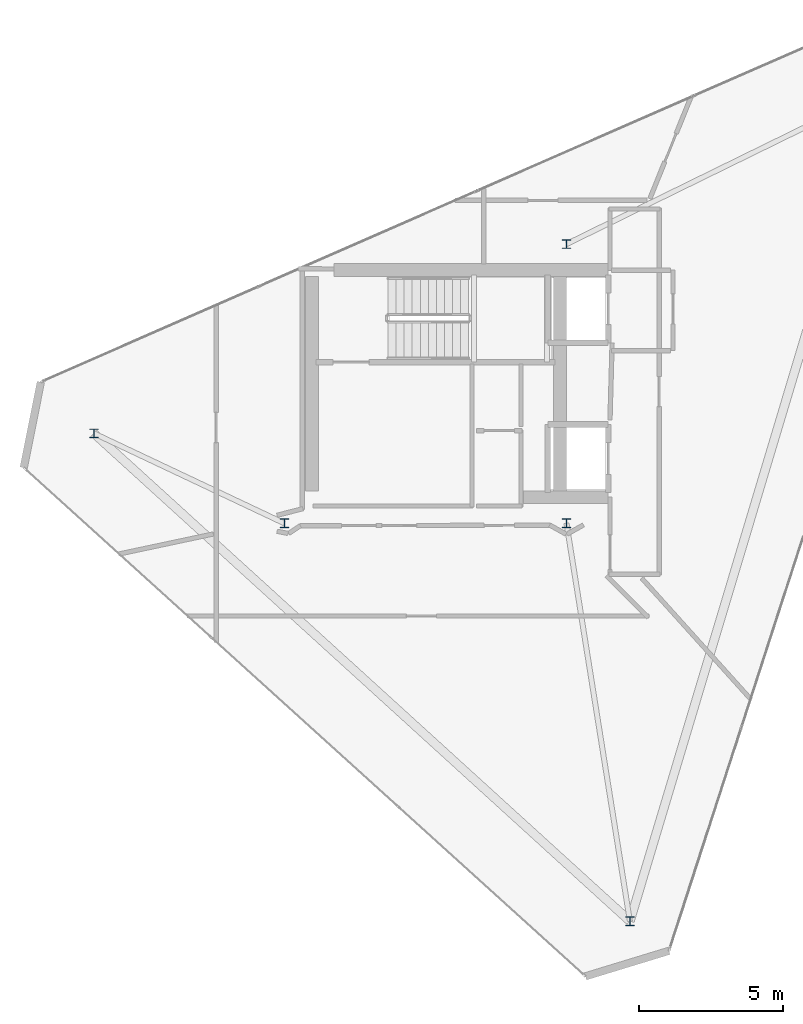
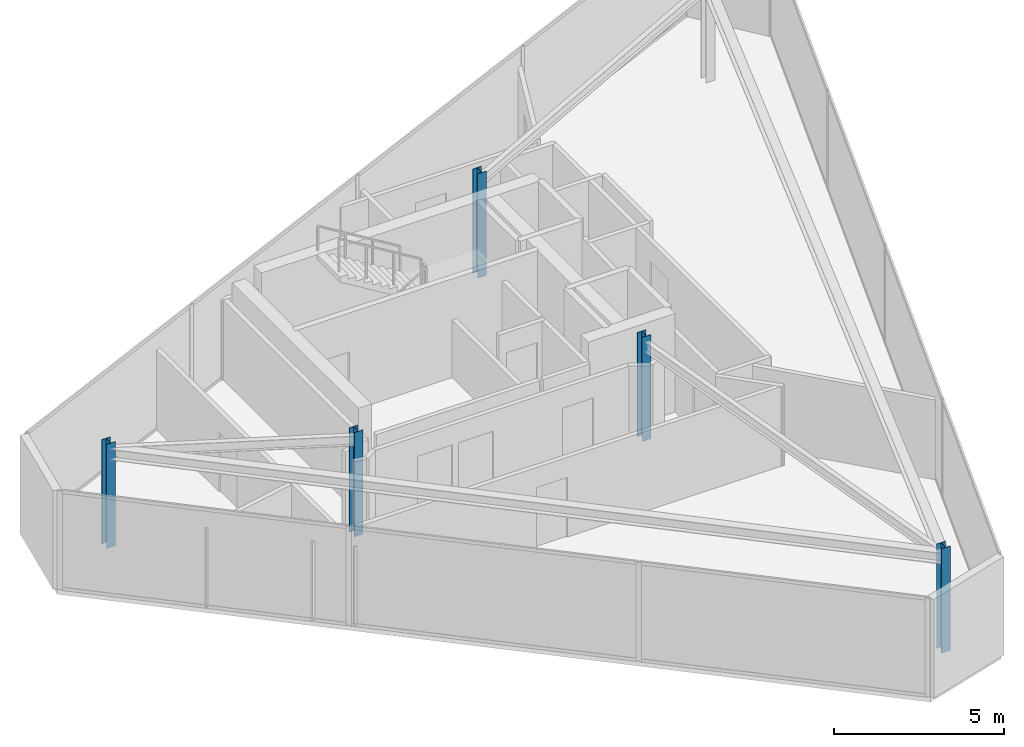
# One storey, part 1 of 16: 5 columns.
"""IFC4 building model written with IfcOpenShell, lengths in metres."""

import ifcopenshell
import ifcopenshell.guid

model = None  # the IFC model being written
_history = None  # IfcOwnerHistory: only IFC2X3 demands one
_inside = {}  # id of a spatial element -> (the spatial element, [elements in it])
_under = {}  # id of a project, library or spatial element -> (it, [spatial elements below it])
_declared = {}  # id of a project -> (the project, [libraries it declares])
_typed = {}  # id of a type object -> (the type object, [elements of that type])
_made_of = {}  # id of a material, layer set ... -> (it, [elements and type objects made of it])


def new_model(schema):
    """Start an empty IFC model of exactly this schema.

    Asked for "IFC4X3", IfcOpenShell would pick the latest addendum, in which some entities
    have other attributes; the version numbers below select the first issue.
    IFC2X3 requires an IfcOwnerHistory on every rooted entity: one is made here for all.
    """
    global model, _history
    if schema == "IFC4X3":
        model = ifcopenshell.file(schema_version=(4, 3, 0, 0))
    else:
        model = ifcopenshell.file(schema=schema)
    _inside.clear()
    _under.clear()
    _declared.clear()
    _typed.clear()
    _made_of.clear()
    _history = None
    if model.schema == "IFC2X3":
        org = make("IfcOrganization", Name="unknown")
        user = make(
            "IfcPersonAndOrganization",
            ThePerson=make("IfcPerson", FamilyName="unknown"),
            TheOrganization=org,
        )
        app = make(
            "IfcApplication",
            ApplicationDeveloper=org,
            Version="unknown",
            ApplicationFullName="unknown",
            ApplicationIdentifier="unknown",
        )
        _history = make(
            "IfcOwnerHistory",
            OwningUser=user,
            OwningApplication=app,
            ChangeAction="ADDED",
            CreationDate=0,
        )
    return model


def make(cls, **values):
    """One entity of the class cls with the attributes given. An attribute that is None is left unset."""
    return model.create_entity(
        cls, **{name: value for name, value in values.items() if value is not None}
    )


def rooted(cls, **values):
    """An entity with a GlobalId (a new one), such as an element, a storey or a relation."""
    return make(cls, GlobalId=ifcopenshell.guid.new(), OwnerHistory=_history, **values)


def si_unit(unit_type, name, prefix=None):
    """IfcSIUnit, for example si_unit("LENGTHUNIT", "METRE", prefix="MILLI")."""
    return make("IfcSIUnit", UnitType=unit_type, Prefix=prefix, Name=name)


def assignment(units):
    """IfcUnitAssignment: the units of a project."""
    return None if units is None else make("IfcUnitAssignment", Units=units)


def point(xyz):
    """IfcCartesianPoint."""
    return None if xyz is None else make("IfcCartesianPoint", Coordinates=xyz)


def direction(xyz):
    """IfcDirection."""
    return None if xyz is None else make("IfcDirection", DirectionRatios=xyz)


def frame(location, z_axis=None, x_axis=None):
    """IfcAxis2Placement3D, a coordinate frame: its origin and axes. An axis left out is left unset."""
    return make(
        "IfcAxis2Placement3D",
        Location=point(location),
        Axis=direction(z_axis),
        RefDirection=direction(x_axis),
    )


def frame_2d(location, x_axis=None):
    """IfcAxis2Placement2D, a coordinate frame in the plane: its origin and x axis."""
    return make(
        "IfcAxis2Placement2D", Location=point(location), RefDirection=direction(x_axis)
    )


def origin():
    """The frame at (0, 0, 0) with its axes left unset."""
    return frame((0.0, 0.0, 0.0))


def origin_2d():
    """The frame at (0, 0) in the plane with its x axis left unset."""
    return frame_2d((0.0, 0.0))


def place(relative_to, where):
    """IfcLocalPlacement: puts the frame where relative to a parent placement (None: the world)."""
    return make(
        "IfcLocalPlacement", PlacementRelTo=relative_to, RelativePlacement=where
    )


def context(
    kind, dimensions, precision=None, world=None, true_north=None, identifier=None
):
    """IfcGeometricRepresentationContext, for example the 3D "Model" context."""
    return make(
        "IfcGeometricRepresentationContext",
        ContextIdentifier=identifier,
        ContextType=kind,
        CoordinateSpaceDimension=dimensions,
        Precision=precision,
        WorldCoordinateSystem=world,
        TrueNorth=true_north,
    )


def subcontext(parent, identifier, kind, view, scale=None):
    """IfcGeometricRepresentationSubContext, for example "Body" below "Model"."""
    return make(
        "IfcGeometricRepresentationSubContext",
        ContextIdentifier=identifier,
        ContextType=kind,
        ParentContext=parent,
        TargetScale=scale,
        TargetView=view,
    )


def project(units=None, contexts=None):
    """IfcProject with its units and contexts."""
    return rooted(
        "IfcProject",
        Name="project",
        RepresentationContexts=contexts,
        UnitsInContext=assignment(units),
    )


def spatial(cls, under=None, at=None, **own):
    """A site, building, storey or space (cls), placed at a placement, below another one or the project."""
    s = rooted(cls, ObjectPlacement=at, **own)
    if under is not None:
        _under.setdefault(under.id(), (under, []))[1].append(s)
    return s


def profile(cls, at=None, kind="AREA", **sizes):
    """A parametric profile (cls). Its sizes go by their IFC names, for example OverallWidth=200.0."""
    return make(cls, ProfileType=kind, Position=at, **sizes)


def i_section(**sizes):
    """IfcIShapeProfileDef."""
    return profile("IfcIShapeProfileDef", **sizes)


def extrude(swept, where, along, depth):
    """IfcExtrudedAreaSolid: the profile swept, set in the frame where, extruded along a direction by depth."""
    return make(
        "IfcExtrudedAreaSolid",
        SweptArea=swept,
        Position=where,
        ExtrudedDirection=direction(along),
        Depth=depth,
    )


def shape(context_of_items, identifier, shape_type, items):
    """IfcShapeRepresentation: the items that make up one representation, for example the "Body"."""
    return make(
        "IfcShapeRepresentation",
        ContextOfItems=context_of_items,
        RepresentationIdentifier=identifier,
        RepresentationType=shape_type,
        Items=items,
    )


def material(Name=None, Category=None):
    """IfcMaterial."""
    return make("IfcMaterial", Name=Name, Category=Category)


def material_profile(
    of_material, cross_section, Name=None, Category=None, Priority=None
):
    """IfcMaterialProfile: a cross section and its material."""
    return make(
        "IfcMaterialProfile",
        Name=Name,
        Material=of_material,
        Profile=cross_section,
        Priority=Priority,
        Category=Category,
    )


def profile_set(profiles, Name=None, composite=None):
    """IfcMaterialProfileSet."""
    return make(
        "IfcMaterialProfileSet",
        Name=Name,
        MaterialProfiles=profiles,
        CompositeProfile=composite,
    )


def made_of(thing, what):
    """Note that an element or type object is made of a material, layer set ...; save() writes the relation."""
    if what is not None:
        _made_of.setdefault(what.id(), (what, []))[1].append(thing)
    return thing


def type_object(cls, material=None, **own):
    """A type object (cls), such as IfcWallType, which elements share."""
    return made_of(rooted(cls, **own), material)


def element(
    cls,
    number,
    at=None,
    inside=None,
    cuts=None,
    type_object=None,
    material=None,
    context=None,
    identifier="Body",
    shape_type=None,
    held_by="IfcProductDefinitionShape",
    body=None,
    shapes=None,
    **own,
):
    """One element of the class cls, such as IfcWall. Its Tag is "e" and its number.

    at: its placement. inside: the storey or other place that contains it. cuts: it is an
    opening in that element (IfcRelVoidsElement). A single representation is given by context,
    identifier, shape_type and body (its items); several are given by shapes. held_by: the class
    of the entity that holds the representations. save() writes the other relations.
    """
    e = rooted(cls, Tag="e%d" % number, ObjectPlacement=at, **own)
    if body is not None:
        shapes = [shape(context, identifier, shape_type, body)]
    if shapes is not None:
        e.Representation = make(held_by, Representations=shapes)
    if inside is not None:
        _inside.setdefault(inside.id(), (inside, []))[1].append(e)
    if cuts is not None:
        rooted(
            "IfcRelVoidsElement", RelatingBuildingElement=cuts, RelatedOpeningElement=e
        )
    if type_object is not None:
        _typed.setdefault(type_object.id(), (type_object, []))[1].append(e)
    return made_of(e, material)


def aggregate(whole, parts):
    """IfcRelAggregates: a whole, such as a stair, and the parts it consists of."""
    return rooted("IfcRelAggregates", RelatingObject=whole, RelatedObjects=parts)


def save(model, path):
    """Write the relations noted so far, then the file.

    IfcRelAggregates (storeys below a building ...), IfcRelContainedInSpatialStructure (elements
    in a storey), IfcRelDefinesByType, IfcRelAssociatesMaterial and IfcRelDeclares: one each for
    every whole, place, type object, material and project.
    """
    for whole, parts in _under.values():
        aggregate(whole, parts)
    for where, things in _inside.values():
        rooted(
            "IfcRelContainedInSpatialStructure",
            RelatedElements=things,
            RelatingStructure=where,
        )
    for kind, things in _typed.values():
        rooted("IfcRelDefinesByType", RelatedObjects=things, RelatingType=kind)
    for what, things in _made_of.values():
        rooted("IfcRelAssociatesMaterial", RelatedObjects=things, RelatingMaterial=what)
    for by, libraries in _declared.values():
        rooted("IfcRelDeclares", RelatingContext=by, RelatedDefinitions=libraries)
    model.write(path)


model = new_model("IFC4")

# Units and contexts
model_context = context("Model", 3, precision=1e-05, world=origin(), true_north=direction((0.0, 1.0)))
body_context = subcontext(model_context, "Body", "Model", "MODEL_VIEW")
ifc_project = project(units=[si_unit("LENGTHUNIT", "METRE"), si_unit("AREAUNIT", "SQUARE_METRE"), si_unit("VOLUMEUNIT", "CUBIC_METRE"), si_unit("PLANEANGLEUNIT", "RADIAN"), si_unit("MASSUNIT", "GRAM", prefix="KILO")], contexts=[model_context])

# Site, building, storey
site_placement = place(None, origin())
site = spatial("IfcSite", under=ifc_project, at=site_placement, CompositionType="ELEMENT")
building_placement = place(site_placement, origin())
building = spatial("IfcBuilding", under=site, at=building_placement, Name="Qianvela Tower", CompositionType="ELEMENT")
storey_placement = place(building_placement, frame((0.0, 0.0, 367.550048828125)))
storey = spatial("IfcBuildingStorey", under=building, at=storey_placement, Name="L95", CompositionType="ELEMENT", Elevation=367.550048828125)

# Columns
ifc_material = material(Name="Steel Q355B", Category="steel")
ifc_material_profile = material_profile(ifc_material, i_section(OverallWidth=0.300048828125, OverallDepth=0.300048828125, WebThickness=0.010009765625, FlangeThickness=0.014892578125, at=origin_2d()), Name="HW300x300x10x15")
ifc_profile_set = profile_set([ifc_material_profile], Name="Steel Q355B")
column_type = type_object("IfcColumnType", Name="COL-HW-300", PredefinedType="COLUMN", material=ifc_profile_set)
for number, where, z_axis, x_axis, name in (
    (1, (28.60009765625, 23.85009765625, 0.0), (0.0, 0.0, 1.0), (1.0, 0.0, 0.0), "L95 Core Corner Mega-Column CC-SW"),
    (2, (38.39990234375, 33.550048828125, 0.0), (0.0, 0.0, 1.0), (1.0, 0.0, 0.0), "L95 Core Corner Mega-Column CC-NE"),
    (3, (38.39990234375, 23.85009765625, 0.0), (0.0, 0.0, 1.0), (1.0, 0.0, 0.0), "L95 Core Corner Mega-Column CC-SE"),
    (4, (40.60400390625, 10.027099609375, 0.0), (0.0, 0.0, 1.0), (1.0, 0.0, 0.0), "L95 Crown Frame Column CR2"),
    (5, (21.98095703125, 26.97607421875, 0.0), (0.0, 0.0, 1.0), (1.0, 0.0, 0.0), "L95 Crown Frame Column CR3"),
):
    element("IfcColumn", number, at=place(storey_placement, frame(where, z_axis=z_axis, x_axis=x_axis)), inside=storey, type_object=column_type, Name=name, PredefinedType="COLUMN", context=body_context, shape_type="SweptSolid", body=[
        extrude(i_section(OverallWidth=0.300048828125, OverallDepth=0.300048828125, WebThickness=0.010009765625, FlangeThickness=0.014892578125, at=origin_2d()), origin(), (0.0, 0.0, 1.0), 3.75),
    ])

save(model, "model.ifc")
